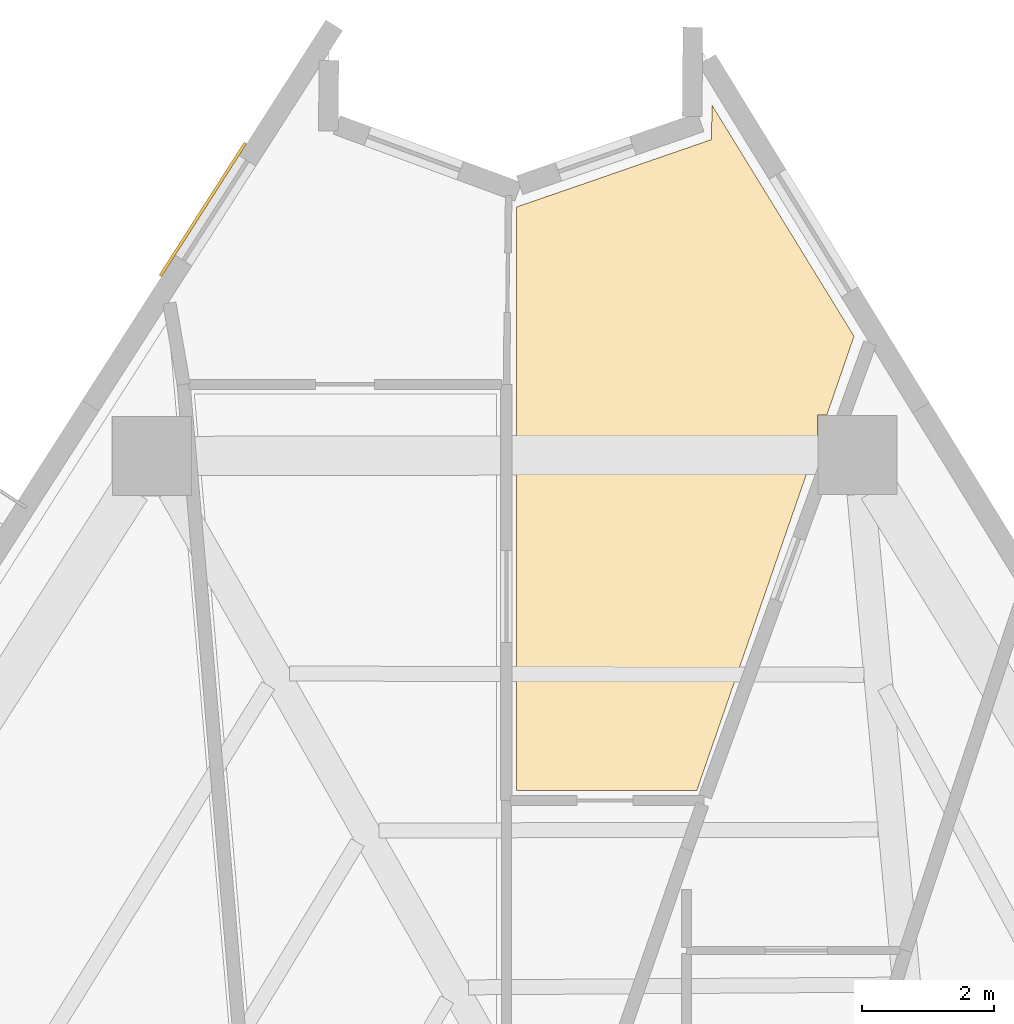
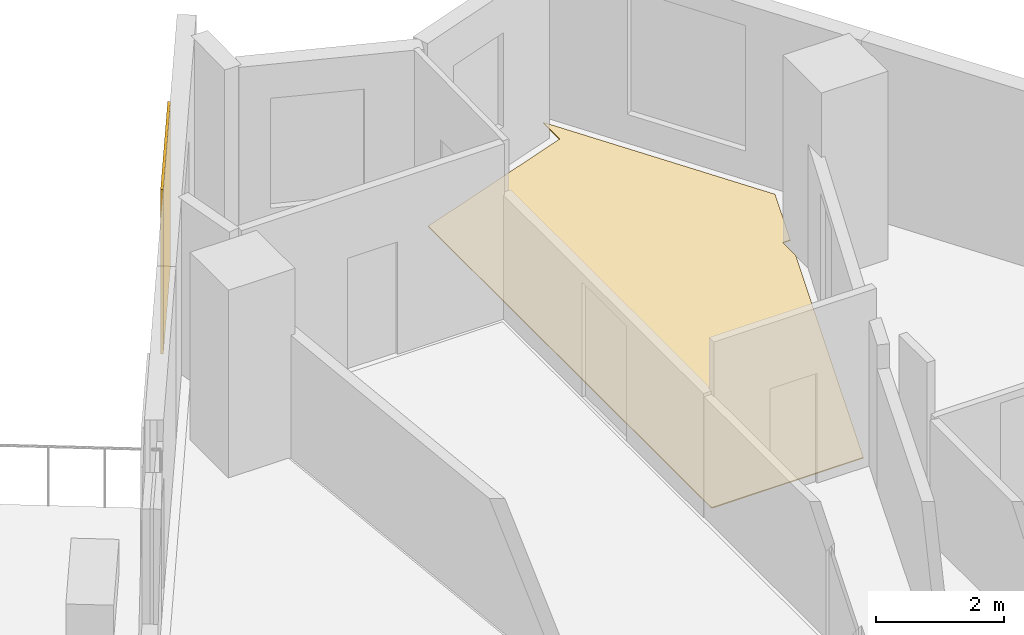
# One storey, part 13 of 13: 2 coverings.
"""IFC4 building model written with IfcOpenShell, lengths in metres."""

from ifc_helpers import new_model, si_unit, direction, frame, origin, origin_2d, place, context, subcontext, project, spatial, polyline, rectangle, outline, extrude, material, layer, layer_set, type_object, element, save


model = new_model("IFC4")

# Units and contexts
model_context = context("Model", 3, precision=1e-05, world=origin(), true_north=direction((0.0, 1.0)))
body_context = subcontext(model_context, "Body", "Model", "MODEL_VIEW")
ifc_project = project(units=[si_unit("LENGTHUNIT", "METRE"), si_unit("AREAUNIT", "SQUARE_METRE"), si_unit("VOLUMEUNIT", "CUBIC_METRE"), si_unit("PLANEANGLEUNIT", "RADIAN"), si_unit("MASSUNIT", "GRAM", prefix="KILO")], contexts=[model_context])

# Site, building, storey
site_placement = place(None, origin())
site = spatial("IfcSite", under=ifc_project, at=site_placement, CompositionType="ELEMENT")
building_placement = place(site_placement, origin())
building = spatial("IfcBuilding", under=site, at=building_placement, Name="Almagre Mirador Tower", CompositionType="ELEMENT")
storey_placement = place(building_placement, frame((0.0, 0.0, 89.39990234375)))
storey = spatial("IfcBuildingStorey", under=building, at=storey_placement, Name="L22", CompositionType="ELEMENT", Elevation=89.39990234375)

# Coverings
ifc_material_1 = material(Name="Almagre terracotta architectural cladding", Category="masonry")
ifc_layer_1 = layer(ifc_material_1, 0.044921875)
ifc_layer_set_1 = layer_set([ifc_layer_1], Name="Almagre terracotta architectural cladding")
covering_type_1 = type_object("IfcCoveringType", Name="COV-CLAD-ALMAGRE", PredefinedType="CLADDING", material=ifc_layer_set_1)
covering_1_placement = place(storey_placement, frame((31.871826171875, 40.93994140625, 0.10009765625), z_axis=(0.0, 0.0, 1.0), x_axis=(0.539476367129, 0.84200074187, 0.0)))
element("IfcCovering", 1, at=covering_1_placement, inside=storey, type_object=covering_type_1, Name="L22 almagre terracotta pier cladding", PredefinedType="CLADDING", context=body_context, shape_type="SweptSolid", body=[
    extrude(rectangle(XDim=2.39990234375, YDim=0.044921875, at=origin_2d()), origin(), (0.0, 0.0, 1.0), 3.14990234375),
])
ifc_material_2 = material(Name="Engineered white oak flooring", Category="wood")
ifc_layer_2 = layer(ifc_material_2, 0.01806640625)
ifc_layer_set_2 = layer_set([ifc_layer_2], Name="Engineered white oak flooring")
covering_type_2 = type_object("IfcCoveringType", Name="COV-FLR-OAK-18", PredefinedType="FLOORING", material=ifc_layer_set_2)
covering_2_placement = place(storey_placement, origin())
element("IfcCovering", 2, at=covering_2_placement, inside=storey, type_object=covering_type_2, Name="L22 Unit L22-J Family Salon finish flooring", PredefinedType="FLOORING", context=body_context, shape_type="SweptSolid", body=[
    extrude(outline(polyline([(36.639892578125, 40.97607421875), (39.60888671875, 42.0029296875), (39.614013671875, 42.528076171875), (41.77490234375, 39.011962890625), (41.362060546875, 37.81298828125), (41.220947265625, 37.81298828125), (41.220947265625, 37.404052734375), (39.383056640625, 32.10009765625), (36.639892578125, 32.10009765625), (36.639892578125, 40.97607421875)])), origin(), (0.0, 0.0, 1.0), 0.01806640625),
])

save(model, "model.ifc")
